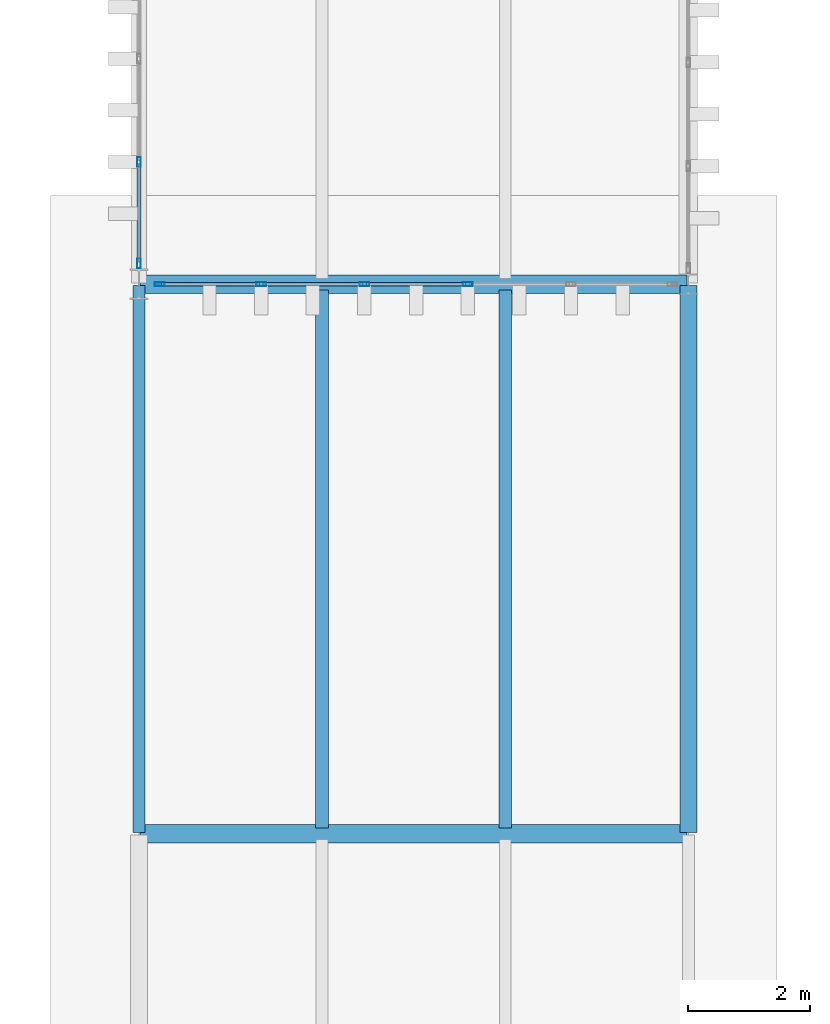
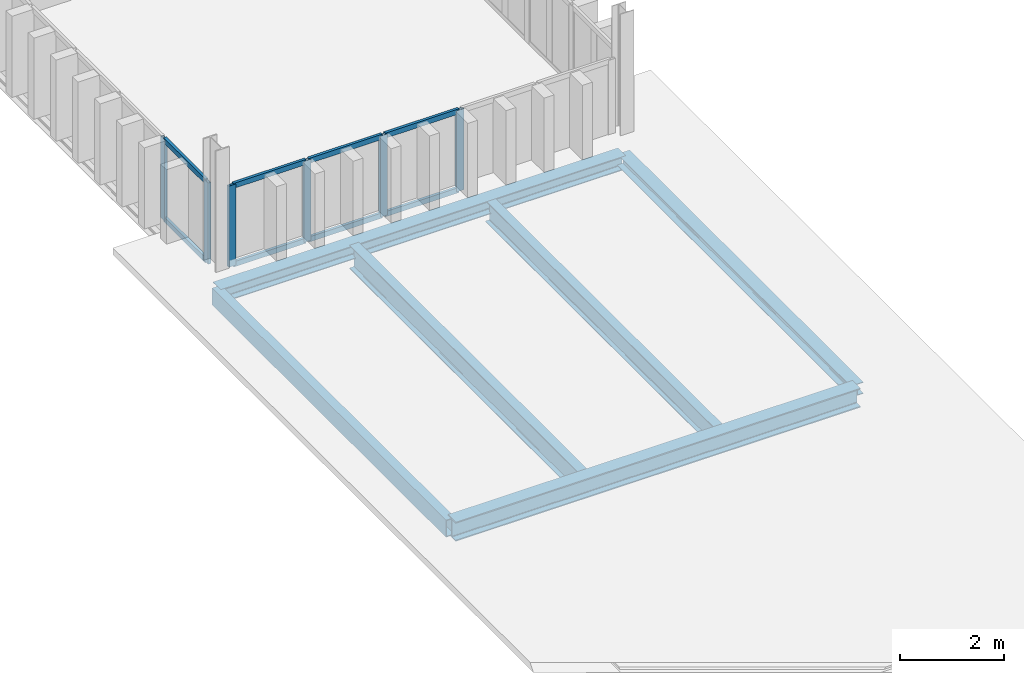
# One storey, part 25 of 58: 14 members, 6 beams, 2 elements without a shape of their own.
"""IFC4 building model written with IfcOpenShell, lengths in metres."""

import ifcopenshell
import ifcopenshell.guid

model = None  # the IFC model being written
_history = None  # IfcOwnerHistory: only IFC2X3 demands one
_inside = {}  # id of a spatial element -> (the spatial element, [elements in it])
_under = {}  # id of a project, library or spatial element -> (it, [spatial elements below it])
_declared = {}  # id of a project -> (the project, [libraries it declares])
_typed = {}  # id of a type object -> (the type object, [elements of that type])
_made_of = {}  # id of a material, layer set ... -> (it, [elements and type objects made of it])


def new_model(schema):
    """Start an empty IFC model of exactly this schema.

    Asked for "IFC4X3", IfcOpenShell would pick the latest addendum, in which some entities
    have other attributes; the version numbers below select the first issue.
    IFC2X3 requires an IfcOwnerHistory on every rooted entity: one is made here for all.
    """
    global model, _history
    if schema == "IFC4X3":
        model = ifcopenshell.file(schema_version=(4, 3, 0, 0))
    else:
        model = ifcopenshell.file(schema=schema)
    _inside.clear()
    _under.clear()
    _declared.clear()
    _typed.clear()
    _made_of.clear()
    _history = None
    if model.schema == "IFC2X3":
        org = make("IfcOrganization", Name="unknown")
        user = make(
            "IfcPersonAndOrganization",
            ThePerson=make("IfcPerson", FamilyName="unknown"),
            TheOrganization=org,
        )
        app = make(
            "IfcApplication",
            ApplicationDeveloper=org,
            Version="unknown",
            ApplicationFullName="unknown",
            ApplicationIdentifier="unknown",
        )
        _history = make(
            "IfcOwnerHistory",
            OwningUser=user,
            OwningApplication=app,
            ChangeAction="ADDED",
            CreationDate=0,
        )
    return model


def make(cls, **values):
    """One entity of the class cls with the attributes given. An attribute that is None is left unset."""
    return model.create_entity(
        cls, **{name: value for name, value in values.items() if value is not None}
    )


def rooted(cls, **values):
    """An entity with a GlobalId (a new one), such as an element, a storey or a relation."""
    return make(cls, GlobalId=ifcopenshell.guid.new(), OwnerHistory=_history, **values)


def si_unit(unit_type, name, prefix=None):
    """IfcSIUnit, for example si_unit("LENGTHUNIT", "METRE", prefix="MILLI")."""
    return make("IfcSIUnit", UnitType=unit_type, Prefix=prefix, Name=name)


def assignment(units):
    """IfcUnitAssignment: the units of a project."""
    return None if units is None else make("IfcUnitAssignment", Units=units)


def point(xyz):
    """IfcCartesianPoint."""
    return None if xyz is None else make("IfcCartesianPoint", Coordinates=xyz)


def direction(xyz):
    """IfcDirection."""
    return None if xyz is None else make("IfcDirection", DirectionRatios=xyz)


def frame(location, z_axis=None, x_axis=None):
    """IfcAxis2Placement3D, a coordinate frame: its origin and axes. An axis left out is left unset."""
    return make(
        "IfcAxis2Placement3D",
        Location=point(location),
        Axis=direction(z_axis),
        RefDirection=direction(x_axis),
    )


def frame_2d(location, x_axis=None):
    """IfcAxis2Placement2D, a coordinate frame in the plane: its origin and x axis."""
    return make(
        "IfcAxis2Placement2D", Location=point(location), RefDirection=direction(x_axis)
    )


def origin():
    """The frame at (0, 0, 0) with its axes left unset."""
    return frame((0.0, 0.0, 0.0))


def origin_2d():
    """The frame at (0, 0) in the plane with its x axis left unset."""
    return frame_2d((0.0, 0.0))


def place(relative_to, where):
    """IfcLocalPlacement: puts the frame where relative to a parent placement (None: the world)."""
    return make(
        "IfcLocalPlacement", PlacementRelTo=relative_to, RelativePlacement=where
    )


def context(
    kind, dimensions, precision=None, world=None, true_north=None, identifier=None
):
    """IfcGeometricRepresentationContext, for example the 3D "Model" context."""
    return make(
        "IfcGeometricRepresentationContext",
        ContextIdentifier=identifier,
        ContextType=kind,
        CoordinateSpaceDimension=dimensions,
        Precision=precision,
        WorldCoordinateSystem=world,
        TrueNorth=true_north,
    )


def subcontext(parent, identifier, kind, view, scale=None):
    """IfcGeometricRepresentationSubContext, for example "Body" below "Model"."""
    return make(
        "IfcGeometricRepresentationSubContext",
        ContextIdentifier=identifier,
        ContextType=kind,
        ParentContext=parent,
        TargetScale=scale,
        TargetView=view,
    )


def project(units=None, contexts=None):
    """IfcProject with its units and contexts."""
    return rooted(
        "IfcProject",
        Name="project",
        RepresentationContexts=contexts,
        UnitsInContext=assignment(units),
    )


def spatial(cls, under=None, at=None, **own):
    """A site, building, storey or space (cls), placed at a placement, below another one or the project."""
    s = rooted(cls, ObjectPlacement=at, **own)
    if under is not None:
        _under.setdefault(under.id(), (under, []))[1].append(s)
    return s


def profile(cls, at=None, kind="AREA", **sizes):
    """A parametric profile (cls). Its sizes go by their IFC names, for example OverallWidth=200.0."""
    return make(cls, ProfileType=kind, Position=at, **sizes)


def hollow_rectangle(**sizes):
    """IfcRectangleHollowProfileDef."""
    return profile("IfcRectangleHollowProfileDef", **sizes)


def i_section(**sizes):
    """IfcIShapeProfileDef."""
    return profile("IfcIShapeProfileDef", **sizes)


def extrude(swept, where, along, depth):
    """IfcExtrudedAreaSolid: the profile swept, set in the frame where, extruded along a direction by depth."""
    return make(
        "IfcExtrudedAreaSolid",
        SweptArea=swept,
        Position=where,
        ExtrudedDirection=direction(along),
        Depth=depth,
    )


def shape(context_of_items, identifier, shape_type, items):
    """IfcShapeRepresentation: the items that make up one representation, for example the "Body"."""
    return make(
        "IfcShapeRepresentation",
        ContextOfItems=context_of_items,
        RepresentationIdentifier=identifier,
        RepresentationType=shape_type,
        Items=items,
    )


def material(Name=None, Category=None):
    """IfcMaterial."""
    return make("IfcMaterial", Name=Name, Category=Category)


def layer(
    of_material, thickness, ventilated=None, Name=None, Category=None, Priority=None
):
    """IfcMaterialLayer: one layer of a wall or slab, of a material (None: an air gap)."""
    return make(
        "IfcMaterialLayer",
        Material=of_material,
        LayerThickness=thickness,
        IsVentilated=ventilated,
        Name=Name,
        Category=Category,
        Priority=Priority,
    )


def layer_set(layers, Name=None):
    """IfcMaterialLayerSet."""
    return make("IfcMaterialLayerSet", MaterialLayers=layers, LayerSetName=Name)


def material_profile(
    of_material, cross_section, Name=None, Category=None, Priority=None
):
    """IfcMaterialProfile: a cross section and its material."""
    return make(
        "IfcMaterialProfile",
        Name=Name,
        Material=of_material,
        Profile=cross_section,
        Priority=Priority,
        Category=Category,
    )


def profile_set(profiles, Name=None, composite=None):
    """IfcMaterialProfileSet."""
    return make(
        "IfcMaterialProfileSet",
        Name=Name,
        MaterialProfiles=profiles,
        CompositeProfile=composite,
    )


def made_of(thing, what):
    """Note that an element or type object is made of a material, layer set ...; save() writes the relation."""
    if what is not None:
        _made_of.setdefault(what.id(), (what, []))[1].append(thing)
    return thing


def type_object(cls, material=None, **own):
    """A type object (cls), such as IfcWallType, which elements share."""
    return made_of(rooted(cls, **own), material)


def element(
    cls,
    number,
    at=None,
    inside=None,
    cuts=None,
    type_object=None,
    material=None,
    context=None,
    identifier="Body",
    shape_type=None,
    held_by="IfcProductDefinitionShape",
    body=None,
    shapes=None,
    **own,
):
    """One element of the class cls, such as IfcWall. Its Tag is "e" and its number.

    at: its placement. inside: the storey or other place that contains it. cuts: it is an
    opening in that element (IfcRelVoidsElement). A single representation is given by context,
    identifier, shape_type and body (its items); several are given by shapes. held_by: the class
    of the entity that holds the representations. save() writes the other relations.
    """
    e = rooted(cls, Tag="e%d" % number, ObjectPlacement=at, **own)
    if body is not None:
        shapes = [shape(context, identifier, shape_type, body)]
    if shapes is not None:
        e.Representation = make(held_by, Representations=shapes)
    if inside is not None:
        _inside.setdefault(inside.id(), (inside, []))[1].append(e)
    if cuts is not None:
        rooted(
            "IfcRelVoidsElement", RelatingBuildingElement=cuts, RelatedOpeningElement=e
        )
    if type_object is not None:
        _typed.setdefault(type_object.id(), (type_object, []))[1].append(e)
    return made_of(e, material)


def aggregate(whole, parts):
    """IfcRelAggregates: a whole, such as a stair, and the parts it consists of."""
    return rooted("IfcRelAggregates", RelatingObject=whole, RelatedObjects=parts)


def save(model, path):
    """Write the relations noted so far, then the file.

    IfcRelAggregates (storeys below a building ...), IfcRelContainedInSpatialStructure (elements
    in a storey), IfcRelDefinesByType, IfcRelAssociatesMaterial and IfcRelDeclares: one each for
    every whole, place, type object, material and project.
    """
    for whole, parts in _under.values():
        aggregate(whole, parts)
    for where, things in _inside.values():
        rooted(
            "IfcRelContainedInSpatialStructure",
            RelatedElements=things,
            RelatingStructure=where,
        )
    for kind, things in _typed.values():
        rooted("IfcRelDefinesByType", RelatedObjects=things, RelatingType=kind)
    for what, things in _made_of.values():
        rooted("IfcRelAssociatesMaterial", RelatedObjects=things, RelatingMaterial=what)
    for by, libraries in _declared.values():
        rooted("IfcRelDeclares", RelatingContext=by, RelatedDefinitions=libraries)
    model.write(path)


model = new_model("IFC4")

# Units and contexts
model_context = context("Model", 3, precision=1e-05, world=origin(), true_north=direction((0.0, 1.0)))
body_context = subcontext(model_context, "Body", "Model", "MODEL_VIEW")
ifc_project = project(units=[si_unit("LENGTHUNIT", "METRE"), si_unit("AREAUNIT", "SQUARE_METRE"), si_unit("VOLUMEUNIT", "CUBIC_METRE"), si_unit("PLANEANGLEUNIT", "RADIAN"), si_unit("MASSUNIT", "GRAM", prefix="KILO")], contexts=[model_context])

# Site, building, storey
site_placement = place(None, origin())
site = spatial("IfcSite", under=ifc_project, at=site_placement, CompositionType="ELEMENT")
building_placement = place(site_placement, origin())
building = spatial("IfcBuilding", under=site, at=building_placement, Name="Barlavento Convention Centre", CompositionType="ELEMENT")
storey_placement = place(building_placement, frame((0.0, 0.0, 26.800048828125)))
storey = spatial("IfcBuildingStorey", under=building, at=storey_placement, Name="L05", CompositionType="ELEMENT", Elevation=26.800048828125)

# Curtain wall, members
ifc_material_1 = material(Name="Powder-coated aluminium and Low-E glass", Category="aluminium")
ifc_layer = layer(ifc_material_1, 0.18994140625)
ifc_layer_set = layer_set([ifc_layer], Name="ARC-CW-CONF-L05")
curtain_wall_type = type_object("IfcCurtainWallType", Name="ARC-CW-CONF-L05", PredefinedType="NOTDEFINED", material=ifc_layer_set)
curtain_wall_1_placement = place(storey_placement, origin())
curtain_wall_1 = element("IfcCurtainWall", 1, at=curtain_wall_1_placement, inside=storey, type_object=curtain_wall_type, Name="L05 unitised curtain wall CW10", PredefinedType="NOTDEFINED")
ifc_material_2 = material(Name="Powder-coated aluminium", Category="aluminium")
ifc_material_profile_1 = material_profile(ifc_material_2, hollow_rectangle(XDim=0.06005859375, YDim=0.159912109375, WallThickness=0.00390625, at=origin_2d()), Name="AL-MULL 60x160x4")
ifc_profile_set_1 = profile_set([ifc_material_profile_1], Name="Powder-coated aluminium")
member_type_1 = type_object("IfcMemberType", Name="ARC-CWM-60X160", PredefinedType="MULLION", material=ifc_profile_set_1)
member_1_placement = place(storey_placement, frame((126.340087890625, 72.0, 0.0), z_axis=(0.0, 0.0, 1.0), x_axis=(0.0, 1.0, 0.0)))
member_1 = element("IfcMember", 2, at=member_1_placement, type_object=member_type_1, Name="CW10 mullion 1", PredefinedType="MULLION", context=body_context, shape_type="SweptSolid", body=[
    extrude(hollow_rectangle(XDim=0.06005859375, YDim=0.159912109375, WallThickness=0.00390625, at=origin_2d()), origin(), (0.0, 0.0, 1.0), 1.89990234375),
])
member_2_placement = place(storey_placement, frame((128.001953125, 72.0, 0.0), z_axis=(0.0, 0.0, 1.0), x_axis=(0.0, 1.0, 0.0)))
member_2 = element("IfcMember", 3, at=member_2_placement, type_object=member_type_1, Name="CW10 mullion 2", PredefinedType="MULLION", context=body_context, shape_type="SweptSolid", body=[
    extrude(hollow_rectangle(XDim=0.06005859375, YDim=0.159912109375, WallThickness=0.00390625, at=origin_2d()), origin(), (0.0, 0.0, 1.0), 1.89990234375),
])
member_3_placement = place(storey_placement, frame((129.694091796875, 72.0, 0.0), z_axis=(0.0, 0.0, 1.0), x_axis=(0.0, 1.0, 0.0)))
member_3 = element("IfcMember", 4, at=member_3_placement, type_object=member_type_1, Name="CW10 mullion 3", PredefinedType="MULLION", context=body_context, shape_type="SweptSolid", body=[
    extrude(hollow_rectangle(XDim=0.06005859375, YDim=0.159912109375, WallThickness=0.00390625, at=origin_2d()), origin(), (0.0, 0.0, 1.0), 1.89990234375),
])
member_4_placement = place(storey_placement, frame((131.385986328125, 72.0, 0.0), z_axis=(0.0, 0.0, 1.0), x_axis=(0.0, 1.0, 0.0)))
member_4 = element("IfcMember", 5, at=member_4_placement, type_object=member_type_1, Name="CW10 mullion 4", PredefinedType="MULLION", context=body_context, shape_type="SweptSolid", body=[
    extrude(hollow_rectangle(XDim=0.06005859375, YDim=0.159912109375, WallThickness=0.00390625, at=origin_2d()), origin(), (0.0, 0.0, 1.0), 1.89990234375),
])

curtain_wall_2_placement = place(storey_placement, origin())
curtain_wall_2 = element("IfcCurtainWall", 6, at=curtain_wall_2_placement, inside=storey, type_object=curtain_wall_type, Name="L05 unitised curtain wall CW10", PredefinedType="NOTDEFINED")
member_5_placement = place(storey_placement, frame((126.0, 72.340087890625, 0.0), z_axis=(0.0, 0.0, 1.0), x_axis=(-1.0, 0.0, 0.0)))
member_5 = element("IfcMember", 7, at=member_5_placement, type_object=member_type_1, Name="CW10 mullion 1", PredefinedType="MULLION", context=body_context, shape_type="SweptSolid", body=[
    extrude(hollow_rectangle(XDim=0.06005859375, YDim=0.159912109375, WallThickness=0.00390625, at=origin_2d()), origin(), (0.0, 0.0, 1.0), 1.89990234375),
])
member_6_placement = place(storey_placement, frame((126.0, 74.001953125, 0.0), z_axis=(0.0, 0.0, 1.0), x_axis=(-1.0, 0.0, 0.0)))
member_6 = element("IfcMember", 8, at=member_6_placement, type_object=member_type_1, Name="CW10 mullion 2", PredefinedType="MULLION", context=body_context, shape_type="SweptSolid", body=[
    extrude(hollow_rectangle(XDim=0.06005859375, YDim=0.159912109375, WallThickness=0.00390625, at=origin_2d()), origin(), (0.0, 0.0, 1.0), 1.89990234375),
])

# Member
ifc_material_profile_2 = material_profile(ifc_material_2, hollow_rectangle(XDim=0.06005859375, YDim=0.1201171875, WallThickness=0.00390625, at=origin_2d()), Name="AL-TRAN 60x120x4")
ifc_profile_set_2 = profile_set([ifc_material_profile_2], Name="Powder-coated aluminium")
member_type_2 = type_object("IfcMemberType", Name="ARC-CWT-60X120", PredefinedType="USERDEFINED", material=ifc_profile_set_2)
member_7_placement = place(storey_placement, frame((126.3701171875, 72.0, 0.030029296875), z_axis=(1.0, 0.0, 0.0), x_axis=(0.0, 1.0, 0.0)))
member_7 = element("IfcMember", 9, at=member_7_placement, type_object=member_type_2, Name="CW10 transom 1.1", ObjectType="TRANSOM", PredefinedType="USERDEFINED", context=body_context, shape_type="SweptSolid", body=[
    extrude(hollow_rectangle(XDim=0.06005859375, YDim=0.1201171875, WallThickness=0.00390625, at=origin_2d()), origin(), (0.0, 0.0, 1.0), 1.601806640625),
])

member_8_placement = place(storey_placement, frame((126.3701171875, 72.0, 1.869873046875), z_axis=(1.0, 0.0, 0.0), x_axis=(0.0, 1.0, 0.0)))
member_8 = element("IfcMember", 10, at=member_8_placement, type_object=member_type_2, Name="CW10 transom 1.2", ObjectType="TRANSOM", PredefinedType="USERDEFINED", context=body_context, shape_type="SweptSolid", body=[
    extrude(hollow_rectangle(XDim=0.06005859375, YDim=0.1201171875, WallThickness=0.00390625, at=origin_2d()), origin(), (0.0, 0.0, 1.0), 1.601806640625),
])

member_9_placement = place(storey_placement, frame((128.031982421875, 72.0, 0.030029296875), z_axis=(1.0, 0.0, 0.0), x_axis=(0.0, 1.0, 0.0)))
member_9 = element("IfcMember", 11, at=member_9_placement, type_object=member_type_2, Name="CW10 transom 2.1", ObjectType="TRANSOM", PredefinedType="USERDEFINED", context=body_context, shape_type="SweptSolid", body=[
    extrude(hollow_rectangle(XDim=0.06005859375, YDim=0.1201171875, WallThickness=0.00390625, at=origin_2d()), origin(), (0.0, 0.0, 1.0), 1.632080078125),
])

member_10_placement = place(storey_placement, frame((128.031982421875, 72.0, 1.869873046875), z_axis=(1.0, 0.0, 0.0), x_axis=(0.0, 1.0, 0.0)))
member_10 = element("IfcMember", 12, at=member_10_placement, type_object=member_type_2, Name="CW10 transom 2.2", ObjectType="TRANSOM", PredefinedType="USERDEFINED", context=body_context, shape_type="SweptSolid", body=[
    extrude(hollow_rectangle(XDim=0.06005859375, YDim=0.1201171875, WallThickness=0.00390625, at=origin_2d()), origin(), (0.0, 0.0, 1.0), 1.632080078125),
])

member_11_placement = place(storey_placement, frame((129.72412109375, 72.0, 0.030029296875), z_axis=(1.0, 0.0, 0.0), x_axis=(0.0, 1.0, 0.0)))
member_11 = element("IfcMember", 13, at=member_11_placement, type_object=member_type_2, Name="CW10 transom 3.1", ObjectType="TRANSOM", PredefinedType="USERDEFINED", context=body_context, shape_type="SweptSolid", body=[
    extrude(hollow_rectangle(XDim=0.06005859375, YDim=0.1201171875, WallThickness=0.00390625, at=origin_2d()), origin(), (0.0, 0.0, 1.0), 1.6318359375),
])

member_12_placement = place(storey_placement, frame((129.72412109375, 72.0, 1.869873046875), z_axis=(1.0, 0.0, 0.0), x_axis=(0.0, 1.0, 0.0)))
member_12 = element("IfcMember", 14, at=member_12_placement, type_object=member_type_2, Name="CW10 transom 3.2", ObjectType="TRANSOM", PredefinedType="USERDEFINED", context=body_context, shape_type="SweptSolid", body=[
    extrude(hollow_rectangle(XDim=0.06005859375, YDim=0.1201171875, WallThickness=0.00390625, at=origin_2d()), origin(), (0.0, 0.0, 1.0), 1.6318359375),
])

aggregate(curtain_wall_1, [member_1, member_2, member_3, member_4, member_7, member_8, member_9, member_10, member_11, member_12])

member_13_placement = place(storey_placement, frame((126.0, 72.3701171875, 0.030029296875), z_axis=(0.0, 1.0, 0.0), x_axis=(-1.0, 0.0, 0.0)))
member_13 = element("IfcMember", 15, at=member_13_placement, type_object=member_type_2, Name="CW10 transom 1.1", ObjectType="TRANSOM", PredefinedType="USERDEFINED", context=body_context, shape_type="SweptSolid", body=[
    extrude(hollow_rectangle(XDim=0.06005859375, YDim=0.1201171875, WallThickness=0.00390625, at=origin_2d()), origin(), (0.0, 0.0, 1.0), 1.601806640625),
])

member_14_placement = place(storey_placement, frame((126.0, 72.3701171875, 1.869873046875), z_axis=(0.0, 1.0, 0.0), x_axis=(-1.0, 0.0, 0.0)))
member_14 = element("IfcMember", 16, at=member_14_placement, type_object=member_type_2, Name="CW10 transom 1.2", ObjectType="TRANSOM", PredefinedType="USERDEFINED", context=body_context, shape_type="SweptSolid", body=[
    extrude(hollow_rectangle(XDim=0.06005859375, YDim=0.1201171875, WallThickness=0.00390625, at=origin_2d()), origin(), (0.0, 0.0, 1.0), 1.601806640625),
])

aggregate(curtain_wall_2, [member_5, member_6, member_13, member_14])

# Beams
ifc_material_3 = material(Name="Steel S355", Category="steel")
ifc_material_profile_3 = material_profile(ifc_material_3, i_section(OverallWidth=0.199951171875, OverallDepth=0.5, WebThickness=0.01025390625, FlangeThickness=0.01611328125, FilletRadius=0.02099609375, at=origin_2d()), Name="IPE 500")
ifc_profile_set_3 = profile_set([ifc_material_profile_3], Name="Steel S355")
beam_type_1 = type_object("IfcBeamType", Name="STR-BM-JST-IPE500", PredefinedType="JOIST", material=ifc_profile_set_3)
beam_1_placement = place(storey_placement, frame((132.0, 63.094970703125, -0.610107421875), z_axis=(0.0, 1.0, 0.0), x_axis=(-1.0, 0.0, 0.0)))
element("IfcBeam", 17, at=beam_1_placement, inside=storey, type_object=beam_type_1, Name="L05 composite floor joist SJ02", PredefinedType="JOIST", context=body_context, shape_type="SweptSolid", body=[
    extrude(i_section(OverallWidth=0.199951171875, OverallDepth=0.5, WebThickness=0.01025390625, FlangeThickness=0.01611328125, FilletRadius=0.02099609375, at=origin_2d()), origin(), (0.0, 0.0, 1.0), 8.81005859375),
])
ifc_material_profile_4 = material_profile(ifc_material_3, i_section(OverallWidth=0.2099609375, OverallDepth=0.550048828125, WebThickness=0.010986328125, FlangeThickness=0.01708984375, FilletRadius=0.02392578125, at=origin_2d()), Name="IPE 550")
ifc_profile_set_4 = profile_set([ifc_material_profile_4], Name="Steel S355")
beam_type_2 = type_object("IfcBeamType", Name="STR-BM-JST-IPE550", PredefinedType="JOIST", material=ifc_profile_set_4)
beam_2_placement = place(storey_placement, frame((129.0, 63.094970703125, -0.635009765625), z_axis=(0.0, 1.0, 0.0), x_axis=(-1.0, 0.0, 0.0)))
element("IfcBeam", 18, at=beam_2_placement, inside=storey, type_object=beam_type_2, Name="L05 composite floor joist SJ01", PredefinedType="JOIST", context=body_context, shape_type="SweptSolid", body=[
    extrude(i_section(OverallWidth=0.2099609375, OverallDepth=0.550048828125, WebThickness=0.010986328125, FlangeThickness=0.01708984375, FilletRadius=0.02392578125, at=origin_2d()), origin(), (0.0, 0.0, 1.0), 8.81005859375),
])
ifc_material_profile_5 = material_profile(ifc_material_3, i_section(OverallWidth=0.300048828125, OverallDepth=0.320068359375, WebThickness=0.011474609375, FlangeThickness=0.0205078125, FilletRadius=0.027099609375, at=origin_2d()), Name="HEB 320")
ifc_profile_set_5 = profile_set([ifc_material_profile_5], Name="Steel S355")
beam_type_3 = type_object("IfcBeamType", Name="STR-BM-PRI-HEB320", PredefinedType="BEAM", material=ifc_profile_set_5)
beam_3_placement = place(storey_placement, frame((126.02001953125, 72.0, -0.52001953125), z_axis=(1.0, 0.0, 0.0), x_axis=(0.0, 1.0, 0.0)))
element("IfcBeam", 19, at=beam_3_placement, inside=storey, type_object=beam_type_3, Name="L05 primary girder BG13", PredefinedType="BEAM", context=body_context, shape_type="SweptSolid", body=[
    extrude(i_section(OverallWidth=0.300048828125, OverallDepth=0.320068359375, WebThickness=0.011474609375, FlangeThickness=0.0205078125, FilletRadius=0.027099609375, at=origin_2d()), origin(), (0.0, 0.0, 1.0), 8.9599609375),
])
ifc_material_profile_6 = material_profile(ifc_material_3, i_section(OverallWidth=0.300048828125, OverallDepth=0.449951171875, WebThickness=0.013916015625, FlangeThickness=0.02587890625, FilletRadius=0.027099609375, at=origin_2d()), Name="HEB 450")
ifc_profile_set_6 = profile_set([ifc_material_profile_6], Name="Steel S355")
beam_type_4 = type_object("IfcBeamType", Name="STR-BM-PRI-HEB450", PredefinedType="BEAM", material=ifc_profile_set_6)
beam_4_placement = place(storey_placement, frame((126.02001953125, 63.0, -0.570068359375), z_axis=(1.0, 0.0, 0.0), x_axis=(0.0, 1.0, 0.0)))
element("IfcBeam", 20, at=beam_4_placement, inside=storey, type_object=beam_type_4, Name="L05 primary girder BG10", PredefinedType="BEAM", context=body_context, shape_type="SweptSolid", body=[
    extrude(i_section(OverallWidth=0.300048828125, OverallDepth=0.449951171875, WebThickness=0.013916015625, FlangeThickness=0.02587890625, FilletRadius=0.027099609375, at=origin_2d()), origin(), (0.0, 0.0, 1.0), 8.9599609375),
])
ifc_material_profile_7 = material_profile(ifc_material_3, i_section(OverallWidth=0.280029296875, OverallDepth=0.27001953125, WebThickness=0.008056640625, FlangeThickness=0.012939453125, FilletRadius=0.02392578125, at=origin_2d()), Name="HEA 280")
ifc_profile_set_7 = profile_set([ifc_material_profile_7], Name="Steel S355")
beam_type_5 = type_object("IfcBeamType", Name="STR-BM-SPN-HEA280", PredefinedType="SPANDREL", material=ifc_profile_set_7)
beam_5_placement = place(storey_placement, frame((135.0, 63.02001953125, -0.4951171875), z_axis=(0.0, 1.0, 0.0), x_axis=(-1.0, 0.0, 0.0)))
element("IfcBeam", 21, at=beam_5_placement, inside=storey, type_object=beam_type_5, Name="L05 grid girder SP03", PredefinedType="SPANDREL", context=body_context, shape_type="SweptSolid", body=[
    extrude(i_section(OverallWidth=0.280029296875, OverallDepth=0.27001953125, WebThickness=0.008056640625, FlangeThickness=0.012939453125, FilletRadius=0.02392578125, at=origin_2d()), origin(), (0.0, 0.0, 1.0), 8.9599609375),
])
ifc_material_profile_8 = material_profile(ifc_material_3, hollow_rectangle(XDim=0.199951171875, YDim=0.39990234375, WallThickness=0.01611328125, at=origin_2d()), Name="RHS 400x200x16.0")
ifc_profile_set_8 = profile_set([ifc_material_profile_8], Name="Steel S355")
beam_type_6 = type_object("IfcBeamType", Name="STR-BM-SPN-RHS400", PredefinedType="SPANDREL", material=ifc_profile_set_8)
beam_6_placement = place(storey_placement, frame((126.0, 63.02001953125, -0.56005859375), z_axis=(0.0, 1.0, 0.0), x_axis=(-1.0, 0.0, 0.0)))
element("IfcBeam", 22, at=beam_6_placement, inside=storey, type_object=beam_type_6, Name="L05 grid girder SP06", PredefinedType="SPANDREL", context=body_context, shape_type="SweptSolid", body=[
    extrude(hollow_rectangle(XDim=0.199951171875, YDim=0.39990234375, WallThickness=0.01611328125, at=origin_2d()), origin(), (0.0, 0.0, 1.0), 8.9599609375),
])

save(model, "model.ifc")
